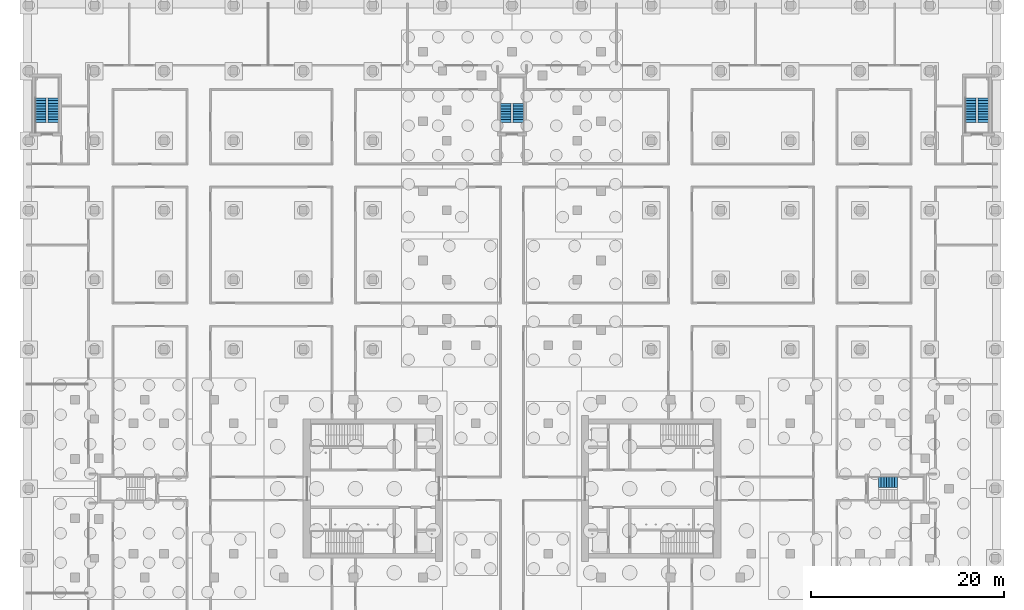
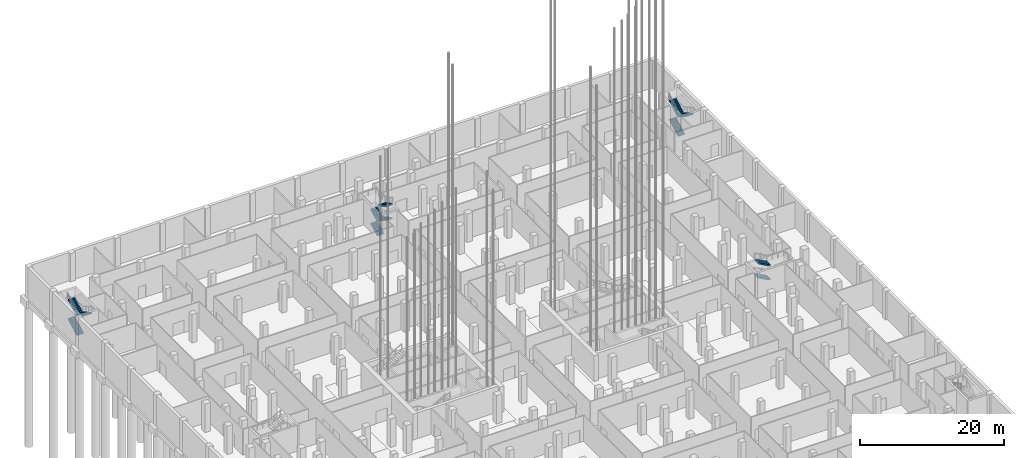
# One storey, part 23 of 54: 12 stair flights, 4 elements without a shape of their own.
"""IFC4 building model written with IfcOpenShell, lengths in metres."""

from ifc_helpers import new_model, si_unit, direction, frame, origin, place, context, subcontext, project, spatial, polyline, outline, extrude, material, type_object, element, aggregate, save


model = new_model("IFC4")

# Units and contexts
model_context = context("Model", 3, precision=1e-05, world=origin(), true_north=direction((0.0, 1.0)))
body_context = subcontext(model_context, "Body", "Model", "MODEL_VIEW")
ifc_project = project(units=[si_unit("LENGTHUNIT", "METRE"), si_unit("AREAUNIT", "SQUARE_METRE"), si_unit("VOLUMEUNIT", "CUBIC_METRE"), si_unit("PLANEANGLEUNIT", "RADIAN"), si_unit("MASSUNIT", "GRAM", prefix="KILO")], contexts=[model_context])

# Site, building, storey
site_placement = place(None, origin())
site = spatial("IfcSite", under=ifc_project, at=site_placement, CompositionType="ELEMENT")
building_placement = place(site_placement, origin())
building = spatial("IfcBuilding", under=site, at=building_placement, Name="Fustian Cross Tower", CompositionType="ELEMENT")
storey_placement = place(building_placement, frame((0.0, 0.0, -4.800048828125)))
storey = spatial("IfcBuildingStorey", under=building, at=storey_placement, Name="B1", CompositionType="ELEMENT", Elevation=-4.800048828125)

# Stair, stair flights
ifc_material_1 = material(Name="Concrete C50/60", Category="concrete")
stair_type = type_object("IfcStairType", Name="STAIR 1100 HALF TURN", PredefinedType="HALF_TURN_STAIR", material=ifc_material_1)
stair_1_placement = place(storey_placement, origin())
stair_1 = element("IfcStair", 1, at=stair_1_placement, inside=storey, type_object=stair_type, Name="Stair ST5", PredefinedType="HALF_TURN_STAIR")
ifc_material_2 = material(Name="Concrete C50/60", Category="concrete")
stair_flight_type = type_object("IfcStairFlightType", Name="STAIR FLIGHT 1100", PredefinedType="STRAIGHT", material=ifc_material_2)
stair_flight_1_placement = place(storey_placement, frame((-0.64990234375, 37.89990234375, 0.0), z_axis=(0.0, 0.0, 1.0), x_axis=(0.0, 1.0, 0.0)))
stair_flight_1 = element("IfcStairFlight", 2, at=stair_flight_1_placement, type_object=stair_flight_type, Name="ST5 flight 1", NumberOfRisers=8, NumberOfTreads=7, PredefinedType="STRAIGHT", RiserHeight=0.15, TreadLength=0.28, context=body_context, shape_type="SweptSolid", body=[
    extrude(outline(polyline([(0.0, 0.0), (0.0, 0.14990234375), (0.280029296875, 0.14990234375), (0.280029296875, 0.300048828125), (0.56005859375, 0.300048828125), (0.56005859375, 0.449951171875), (0.840087890625, 0.449951171875), (0.840087890625, 0.60009765625), (1.1201171875, 0.60009765625), (1.1201171875, 0.75), (1.39990234375, 0.75), (1.39990234375, 0.89990234375), (1.679931640625, 0.89990234375), (1.679931640625, 1.050048828125), (1.9599609375, 1.050048828125), (1.9599609375, 1.199951171875), (1.9599609375, 0.8798828125), (0.3173828125, 0.0), (0.0, 0.0)])), frame((0.0, 0.550048828125, 0.0), z_axis=(0.0, -1.0, 0.0), x_axis=(1.0, 0.0, 0.0)), (0.0, 0.0, 1.0), 1.10009765625),
])
stair_flight_2_placement = place(storey_placement, frame((0.64990234375, 39.860107421875, 1.199951171875), z_axis=(0.0, 0.0, 1.0), x_axis=(0.0, -1.0, 0.0)))
stair_flight_2 = element("IfcStairFlight", 3, at=stair_flight_2_placement, type_object=stair_flight_type, Name="ST5 flight 2", NumberOfRisers=8, NumberOfTreads=7, PredefinedType="STRAIGHT", RiserHeight=0.15, TreadLength=0.28, context=body_context, shape_type="SweptSolid", body=[
    extrude(outline(polyline([(0.0, 0.0), (0.0, 0.14990234375), (0.280029296875, 0.14990234375), (0.280029296875, 0.300048828125), (0.56005859375, 0.300048828125), (0.56005859375, 0.449951171875), (0.840087890625, 0.449951171875), (0.840087890625, 0.60009765625), (1.1201171875, 0.60009765625), (1.1201171875, 0.75), (1.39990234375, 0.75), (1.39990234375, 0.89990234375), (1.679931640625, 0.89990234375), (1.679931640625, 1.050048828125), (1.9599609375, 1.050048828125), (1.9599609375, 1.199951171875), (1.9599609375, 0.8798828125), (0.3173828125, 0.0), (0.0, 0.0)])), frame((0.0, 0.550048828125, 0.0), z_axis=(0.0, -1.0, 0.0), x_axis=(1.0, 0.0, 0.0)), (0.0, 0.0, 1.0), 1.10009765625),
])
stair_flight_3_placement = place(storey_placement, frame((-0.64990234375, 37.89990234375, 2.400146484375), z_axis=(0.0, 0.0, 1.0), x_axis=(0.0, 1.0, 0.0)))
stair_flight_3 = element("IfcStairFlight", 4, at=stair_flight_3_placement, type_object=stair_flight_type, Name="ST5 flight 3", NumberOfRisers=8, NumberOfTreads=7, PredefinedType="STRAIGHT", RiserHeight=0.15, TreadLength=0.28, context=body_context, shape_type="SweptSolid", body=[
    extrude(outline(polyline([(0.0, 0.0), (0.0, 0.14990234375), (0.280029296875, 0.14990234375), (0.280029296875, 0.300048828125), (0.56005859375, 0.300048828125), (0.56005859375, 0.449951171875), (0.840087890625, 0.449951171875), (0.840087890625, 0.60009765625), (1.1201171875, 0.60009765625), (1.1201171875, 0.75), (1.39990234375, 0.75), (1.39990234375, 0.89990234375), (1.679931640625, 0.89990234375), (1.679931640625, 1.050048828125), (1.9599609375, 1.050048828125), (1.9599609375, 1.199951171875), (1.9599609375, 0.8798828125), (0.3173828125, 0.0), (0.0, 0.0)])), frame((0.0, 0.550048828125, 0.0), z_axis=(0.0, -1.0, 0.0), x_axis=(1.0, 0.0, 0.0)), (0.0, 0.0, 1.0), 1.10009765625),
])
stair_flight_4_placement = place(storey_placement, frame((0.64990234375, 39.860107421875, 3.60009765625), z_axis=(0.0, 0.0, 1.0), x_axis=(0.0, -1.0, 0.0)))
stair_flight_4 = element("IfcStairFlight", 5, at=stair_flight_4_placement, type_object=stair_flight_type, Name="ST5 flight 4", NumberOfRisers=8, NumberOfTreads=7, PredefinedType="STRAIGHT", RiserHeight=0.15, TreadLength=0.28, context=body_context, shape_type="SweptSolid", body=[
    extrude(outline(polyline([(0.0, 0.0), (0.0, 0.14990234375), (0.280029296875, 0.14990234375), (0.280029296875, 0.300048828125), (0.56005859375, 0.300048828125), (0.56005859375, 0.449951171875), (0.840087890625, 0.449951171875), (0.840087890625, 0.60009765625), (1.1201171875, 0.60009765625), (1.1201171875, 0.75), (1.39990234375, 0.75), (1.39990234375, 0.89990234375), (1.679931640625, 0.89990234375), (1.679931640625, 1.050048828125), (1.9599609375, 1.050048828125), (1.9599609375, 1.199951171875), (1.9599609375, 0.8798828125), (0.3173828125, 0.0), (0.0, 0.0)])), frame((0.0, 0.550048828125, 0.0), z_axis=(0.0, -1.0, 0.0), x_axis=(1.0, 0.0, 0.0)), (0.0, 0.0, 1.0), 1.10009765625),
])
aggregate(stair_1, [stair_flight_1, stair_flight_2, stair_flight_3, stair_flight_4])

stair_2_placement = place(storey_placement, origin())
stair_2 = element("IfcStair", 6, at=stair_2_placement, inside=storey, type_object=stair_type, Name="Stair ST8", PredefinedType="HALF_TURN_STAIR")
stair_flight_5_placement = place(storey_placement, frame((39.860107421875, 0.64990234375, 1.199951171875), z_axis=(0.0, 0.0, 1.0), x_axis=(-1.0, 0.0, 0.0)))
stair_flight_5 = element("IfcStairFlight", 7, at=stair_flight_5_placement, type_object=stair_flight_type, Name="ST8 flight 2", NumberOfRisers=8, NumberOfTreads=7, PredefinedType="STRAIGHT", RiserHeight=0.15, TreadLength=0.28, context=body_context, shape_type="SweptSolid", body=[
    extrude(outline(polyline([(0.0, 0.0), (0.0, 0.14990234375), (0.280029296875, 0.14990234375), (0.280029296875, 0.300048828125), (0.56005859375, 0.300048828125), (0.56005859375, 0.449951171875), (0.840087890625, 0.449951171875), (0.840087890625, 0.60009765625), (1.1201171875, 0.60009765625), (1.1201171875, 0.75), (1.39990234375, 0.75), (1.39990234375, 0.89990234375), (1.679931640625, 0.89990234375), (1.679931640625, 1.050048828125), (1.9599609375, 1.050048828125), (1.9599609375, 1.199951171875), (1.9599609375, 0.8798828125), (0.3173828125, 0.0), (0.0, 0.0)])), frame((0.0, 0.550048828125, 0.0), z_axis=(0.0, -1.0, 0.0), x_axis=(1.0, 0.0, 0.0)), (0.0, 0.0, 1.0), 1.10009765625),
])
stair_flight_6_placement = place(storey_placement, frame((39.860107421875, 0.64990234375, 3.60009765625), z_axis=(0.0, 0.0, 1.0), x_axis=(-1.0, 0.0, 0.0)))
stair_flight_6 = element("IfcStairFlight", 8, at=stair_flight_6_placement, type_object=stair_flight_type, Name="ST8 flight 4", NumberOfRisers=8, NumberOfTreads=7, PredefinedType="STRAIGHT", RiserHeight=0.15, TreadLength=0.28, context=body_context, shape_type="SweptSolid", body=[
    extrude(outline(polyline([(0.0, 0.0), (0.0, 0.14990234375), (0.280029296875, 0.14990234375), (0.280029296875, 0.300048828125), (0.56005859375, 0.300048828125), (0.56005859375, 0.449951171875), (0.840087890625, 0.449951171875), (0.840087890625, 0.60009765625), (1.1201171875, 0.60009765625), (1.1201171875, 0.75), (1.39990234375, 0.75), (1.39990234375, 0.89990234375), (1.679931640625, 0.89990234375), (1.679931640625, 1.050048828125), (1.9599609375, 1.050048828125), (1.9599609375, 1.199951171875), (1.9599609375, 0.8798828125), (0.3173828125, 0.0), (0.0, 0.0)])), frame((0.0, 0.550048828125, 0.0), z_axis=(0.0, -1.0, 0.0), x_axis=(1.0, 0.0, 0.0)), (0.0, 0.0, 1.0), 1.10009765625),
])
aggregate(stair_2, [stair_flight_5, stair_flight_6])

stair_3_placement = place(storey_placement, origin())
stair_3 = element("IfcStair", 9, at=stair_3_placement, inside=storey, type_object=stair_type, Name="Stair ST10", PredefinedType="HALF_TURN_STAIR")
stair_flight_7_placement = place(storey_placement, frame((47.449951171875, 37.89990234375, 0.0), z_axis=(0.0, 0.0, 1.0), x_axis=(0.0, 1.0, 0.0)))
stair_flight_7 = element("IfcStairFlight", 10, at=stair_flight_7_placement, type_object=stair_flight_type, Name="ST10 flight 1", NumberOfRisers=10, NumberOfTreads=9, PredefinedType="STRAIGHT", RiserHeight=0.16, TreadLength=0.28, context=body_context, shape_type="SweptSolid", body=[
    extrude(outline(polyline([(0.0, 0.0), (0.0, 0.159912109375), (0.280029296875, 0.159912109375), (0.280029296875, 0.320068359375), (0.56005859375, 0.320068359375), (0.56005859375, 0.47998046875), (0.840087890625, 0.47998046875), (0.840087890625, 0.639892578125), (1.1201171875, 0.639892578125), (1.1201171875, 0.800048828125), (1.39990234375, 0.800048828125), (1.39990234375, 0.9599609375), (1.679931640625, 0.9599609375), (1.679931640625, 1.1201171875), (1.9599609375, 1.1201171875), (1.9599609375, 1.280029296875), (2.239990234375, 1.280029296875), (2.239990234375, 1.43994140625), (2.52001953125, 1.43994140625), (2.52001953125, 1.60009765625), (2.52001953125, 1.267333984375), (0.30224609375, 0.0), (0.0, 0.0)])), frame((0.0, 0.550048828125, 0.0), z_axis=(0.0, -1.0, 0.0), x_axis=(1.0, 0.0, 0.0)), (0.0, 0.0, 1.0), 1.10009765625),
])
stair_flight_8_placement = place(storey_placement, frame((48.75, 40.419921875, 1.60009765625), z_axis=(0.0, 0.0, 1.0), x_axis=(0.0, -1.0, 0.0)))
stair_flight_8 = element("IfcStairFlight", 11, at=stair_flight_8_placement, type_object=stair_flight_type, Name="ST10 flight 2", NumberOfRisers=10, NumberOfTreads=9, PredefinedType="STRAIGHT", RiserHeight=0.16, TreadLength=0.28, context=body_context, shape_type="SweptSolid", body=[
    extrude(outline(polyline([(0.0, 0.0), (0.0, 0.159912109375), (0.280029296875, 0.159912109375), (0.280029296875, 0.320068359375), (0.56005859375, 0.320068359375), (0.56005859375, 0.47998046875), (0.840087890625, 0.47998046875), (0.840087890625, 0.639892578125), (1.1201171875, 0.639892578125), (1.1201171875, 0.800048828125), (1.39990234375, 0.800048828125), (1.39990234375, 0.9599609375), (1.679931640625, 0.9599609375), (1.679931640625, 1.1201171875), (1.9599609375, 1.1201171875), (1.9599609375, 1.280029296875), (2.239990234375, 1.280029296875), (2.239990234375, 1.43994140625), (2.52001953125, 1.43994140625), (2.52001953125, 1.60009765625), (2.52001953125, 1.267333984375), (0.30224609375, 0.0), (0.0, 0.0)])), frame((0.0, 0.550048828125, 0.0), z_axis=(0.0, -1.0, 0.0), x_axis=(1.0, 0.0, 0.0)), (0.0, 0.0, 1.0), 1.10009765625),
])
stair_flight_9_placement = place(storey_placement, frame((47.449951171875, 37.89990234375, 3.199951171875), z_axis=(0.0, 0.0, 1.0), x_axis=(0.0, 1.0, 0.0)))
stair_flight_9 = element("IfcStairFlight", 12, at=stair_flight_9_placement, type_object=stair_flight_type, Name="ST10 flight 3", NumberOfRisers=10, NumberOfTreads=9, PredefinedType="STRAIGHT", RiserHeight=0.16, TreadLength=0.28, context=body_context, shape_type="SweptSolid", body=[
    extrude(outline(polyline([(0.0, 0.0), (0.0, 0.159912109375), (0.280029296875, 0.159912109375), (0.280029296875, 0.320068359375), (0.56005859375, 0.320068359375), (0.56005859375, 0.47998046875), (0.840087890625, 0.47998046875), (0.840087890625, 0.639892578125), (1.1201171875, 0.639892578125), (1.1201171875, 0.800048828125), (1.39990234375, 0.800048828125), (1.39990234375, 0.9599609375), (1.679931640625, 0.9599609375), (1.679931640625, 1.1201171875), (1.9599609375, 1.1201171875), (1.9599609375, 1.280029296875), (2.239990234375, 1.280029296875), (2.239990234375, 1.43994140625), (2.52001953125, 1.43994140625), (2.52001953125, 1.60009765625), (2.52001953125, 1.267333984375), (0.30224609375, 0.0), (0.0, 0.0)])), frame((0.0, 0.550048828125, 0.0), z_axis=(0.0, -1.0, 0.0), x_axis=(1.0, 0.0, 0.0)), (0.0, 0.0, 1.0), 1.10009765625),
])
aggregate(stair_3, [stair_flight_7, stair_flight_8, stair_flight_9])

stair_4_placement = place(storey_placement, origin())
stair_4 = element("IfcStair", 13, at=stair_4_placement, inside=storey, type_object=stair_type, Name="Stair ST11", PredefinedType="HALF_TURN_STAIR")
stair_flight_10_placement = place(storey_placement, frame((-48.75, 37.89990234375, 0.0), z_axis=(0.0, 0.0, 1.0), x_axis=(0.0, 1.0, 0.0)))
stair_flight_10 = element("IfcStairFlight", 14, at=stair_flight_10_placement, type_object=stair_flight_type, Name="ST11 flight 1", NumberOfRisers=10, NumberOfTreads=9, PredefinedType="STRAIGHT", RiserHeight=0.16, TreadLength=0.28, context=body_context, shape_type="SweptSolid", body=[
    extrude(outline(polyline([(0.0, 0.0), (0.0, 0.159912109375), (0.280029296875, 0.159912109375), (0.280029296875, 0.320068359375), (0.56005859375, 0.320068359375), (0.56005859375, 0.47998046875), (0.840087890625, 0.47998046875), (0.840087890625, 0.639892578125), (1.1201171875, 0.639892578125), (1.1201171875, 0.800048828125), (1.39990234375, 0.800048828125), (1.39990234375, 0.9599609375), (1.679931640625, 0.9599609375), (1.679931640625, 1.1201171875), (1.9599609375, 1.1201171875), (1.9599609375, 1.280029296875), (2.239990234375, 1.280029296875), (2.239990234375, 1.43994140625), (2.52001953125, 1.43994140625), (2.52001953125, 1.60009765625), (2.52001953125, 1.267333984375), (0.30224609375, 0.0), (0.0, 0.0)])), frame((0.0, 0.550048828125, 0.0), z_axis=(0.0, -1.0, 0.0), x_axis=(1.0, 0.0, 0.0)), (0.0, 0.0, 1.0), 1.10009765625),
])
stair_flight_11_placement = place(storey_placement, frame((-47.449951171875, 40.419921875, 1.60009765625), z_axis=(0.0, 0.0, 1.0), x_axis=(0.0, -1.0, 0.0)))
stair_flight_11 = element("IfcStairFlight", 15, at=stair_flight_11_placement, type_object=stair_flight_type, Name="ST11 flight 2", NumberOfRisers=10, NumberOfTreads=9, PredefinedType="STRAIGHT", RiserHeight=0.16, TreadLength=0.28, context=body_context, shape_type="SweptSolid", body=[
    extrude(outline(polyline([(0.0, 0.0), (0.0, 0.159912109375), (0.280029296875, 0.159912109375), (0.280029296875, 0.320068359375), (0.56005859375, 0.320068359375), (0.56005859375, 0.47998046875), (0.840087890625, 0.47998046875), (0.840087890625, 0.639892578125), (1.1201171875, 0.639892578125), (1.1201171875, 0.800048828125), (1.39990234375, 0.800048828125), (1.39990234375, 0.9599609375), (1.679931640625, 0.9599609375), (1.679931640625, 1.1201171875), (1.9599609375, 1.1201171875), (1.9599609375, 1.280029296875), (2.239990234375, 1.280029296875), (2.239990234375, 1.43994140625), (2.52001953125, 1.43994140625), (2.52001953125, 1.60009765625), (2.52001953125, 1.267333984375), (0.30224609375, 0.0), (0.0, 0.0)])), frame((0.0, 0.550048828125, 0.0), z_axis=(0.0, -1.0, 0.0), x_axis=(1.0, 0.0, 0.0)), (0.0, 0.0, 1.0), 1.10009765625),
])
stair_flight_12_placement = place(storey_placement, frame((-48.75, 37.89990234375, 3.199951171875), z_axis=(0.0, 0.0, 1.0), x_axis=(0.0, 1.0, 0.0)))
stair_flight_12 = element("IfcStairFlight", 16, at=stair_flight_12_placement, type_object=stair_flight_type, Name="ST11 flight 3", NumberOfRisers=10, NumberOfTreads=9, PredefinedType="STRAIGHT", RiserHeight=0.16, TreadLength=0.28, context=body_context, shape_type="SweptSolid", body=[
    extrude(outline(polyline([(0.0, 0.0), (0.0, 0.159912109375), (0.280029296875, 0.159912109375), (0.280029296875, 0.320068359375), (0.56005859375, 0.320068359375), (0.56005859375, 0.47998046875), (0.840087890625, 0.47998046875), (0.840087890625, 0.639892578125), (1.1201171875, 0.639892578125), (1.1201171875, 0.800048828125), (1.39990234375, 0.800048828125), (1.39990234375, 0.9599609375), (1.679931640625, 0.9599609375), (1.679931640625, 1.1201171875), (1.9599609375, 1.1201171875), (1.9599609375, 1.280029296875), (2.239990234375, 1.280029296875), (2.239990234375, 1.43994140625), (2.52001953125, 1.43994140625), (2.52001953125, 1.60009765625), (2.52001953125, 1.267333984375), (0.30224609375, 0.0), (0.0, 0.0)])), frame((0.0, 0.550048828125, 0.0), z_axis=(0.0, -1.0, 0.0), x_axis=(1.0, 0.0, 0.0)), (0.0, 0.0, 1.0), 1.10009765625),
])
aggregate(stair_4, [stair_flight_10, stair_flight_11, stair_flight_12])

save(model, "model.ifc")
